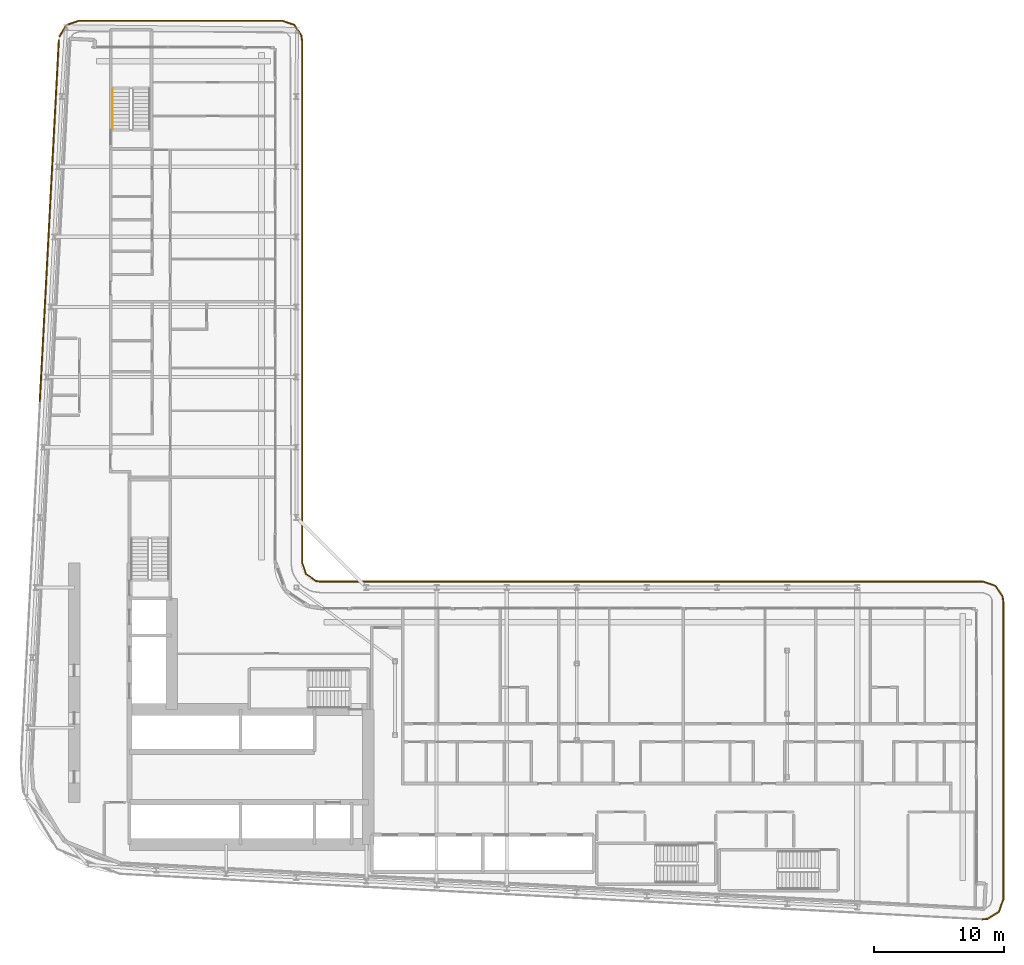
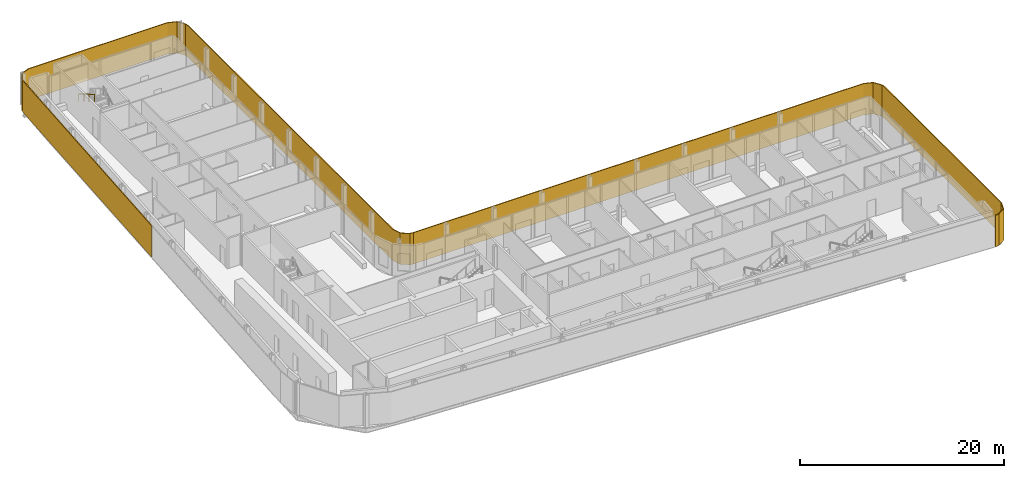
# One storey, part 25 of 27: 3 shading devices, 1 railing.
"""IFC4 building model written with IfcOpenShell, lengths in metres."""

from ifc_helpers import new_model, si_unit, direction, frame, origin, origin_2d, place, context, subcontext, project, spatial, polyline, rectangle, circle, outline, extrude, material, layer, layer_set, type_object, element, save


model = new_model("IFC4")

# Units and contexts
model_context = context("Model", 3, precision=1e-05, world=origin(), true_north=direction((0.0, 1.0)))
body_context = subcontext(model_context, "Body", "Model", "MODEL_VIEW")
ifc_project = project(units=[si_unit("LENGTHUNIT", "METRE"), si_unit("AREAUNIT", "SQUARE_METRE"), si_unit("VOLUMEUNIT", "CUBIC_METRE"), si_unit("PLANEANGLEUNIT", "RADIAN"), si_unit("MASSUNIT", "GRAM", prefix="KILO")], contexts=[model_context])

# Site, building, storey
site_placement = place(None, origin())
site = spatial("IfcSite", under=ifc_project, at=site_placement, CompositionType="ELEMENT")
building_placement = place(site_placement, origin())
building = spatial("IfcBuilding", under=site, at=building_placement, Name="Kheshtan School and Residences Tower", CompositionType="ELEMENT")
storey_placement = place(building_placement, frame((0.0, 0.0, 101.89990234375)))
storey = spatial("IfcBuildingStorey", under=building, at=storey_placement, Name="L23", CompositionType="ELEMENT", Elevation=101.89990234375)

# Shading devices
ifc_material_1 = material(Name="Terracotta baguette, extruded ceramic", Category="masonry")
ifc_layer_1 = layer(ifc_material_1, 0.10009765625)
ifc_layer_set_1 = layer_set([ifc_layer_1], Name="Ledge screen, terracotta baguettes")
shading_device_type_1 = type_object("IfcShadingDeviceType", Name="Ledge screen, terracotta baguettes", PredefinedType="USERDEFINED", material=ifc_layer_set_1)
shading_device_1_placement = place(storey_placement, frame((28.572998046875, 73.833984375, 0.0), z_axis=(0.0, 0.0, 1.0), x_axis=(0.052562536748, 0.998617634398, 0.0)))
element("IfcShadingDevice", 1, at=shading_device_1_placement, inside=storey, type_object=shading_device_type_1, Name="Screen L23 5", ObjectType="BAGUETTE", PredefinedType="USERDEFINED", context=body_context, shape_type="SweptSolid", body=[
    extrude(rectangle(XDim=27.93408203125, YDim=0.10009765625, at=origin_2d()), origin(), (0.0, 0.0, 1.0), 3.75),
])
ifc_material_2 = material(Name="Terracotta lattice, extruded ceramic", Category="masonry")
ifc_layer_2 = layer(ifc_material_2, 0.10009765625)
ifc_layer_set_2 = layer_set([ifc_layer_2], Name="Loggia screen, terracotta lattice")
shading_device_type_2 = type_object("IfcShadingDeviceType", Name="Loggia screen, terracotta lattice", PredefinedType="USERDEFINED", material=ifc_layer_set_2)
shading_device_2_placement = place(storey_placement, origin())
element("IfcShadingDevice", 2, at=shading_device_2_placement, inside=storey, type_object=shading_device_type_2, Name="Screen L23 1", ObjectType="SCREEN", PredefinedType="USERDEFINED", context=body_context, shape_type="SweptSolid", body=[
    extrude(outline(polyline([(29.382080078125, 87.98388671875), (29.89990234375, 88.85693359375), (30.85498046875, 89.199951171875), (46.5, 89.199951171875), (47.4130859375, 88.889892578125), (47.948974609375, 88.087890625), (48.0, 87.699951171875), (48.0, 47.5), (48.31005859375, 46.5869140625), (49.112060546875, 46.051025390625), (49.5, 46.0), (49.512939453125, 46.09912109375), (49.14794921875, 46.14697265625), (48.39404296875, 46.65087890625), (48.10009765625, 47.51708984375), (48.10009765625, 87.70703125), (48.044921875, 88.1240234375), (47.47705078125, 88.97412109375), (46.51708984375, 89.300048828125), (30.837890625, 89.300048828125), (29.83203125, 88.93896484375), (29.2958984375, 88.034912109375), (29.382080078125, 87.98388671875)])), origin(), (0.0, 0.0, 1.0), 3.75),
])
shading_device_3_placement = place(storey_placement, origin())
element("IfcShadingDevice", 3, at=shading_device_3_placement, inside=storey, type_object=shading_device_type_2, Name="Screen L23 2", ObjectType="SCREEN", PredefinedType="USERDEFINED", context=body_context, shape_type="SweptSolid", body=[
    extrude(outline(polyline([(49.5, 46.0), (100.5, 46.0), (101.4130859375, 45.68994140625), (101.948974609375, 44.887939453125), (102.0, 44.5), (102.0, 21.5810546875), (101.669921875, 20.64208984375), (100.823974609375, 20.116943359375), (100.4208984375, 20.0830078125), (100.428955078125, 19.98291015625), (100.85595703125, 20.01904296875), (101.7529296875, 20.575927734375), (102.10009765625, 21.56396484375), (102.10009765625, 44.507080078125), (102.044921875, 44.924072265625), (101.47705078125, 45.77392578125), (100.51708984375, 46.10009765625), (49.5, 46.10009765625), (49.5, 46.0)])), origin(), (0.0, 0.0, 1.0), 3.75),
])

# Railing
ifc_material_3 = material(Name="Stainless steel handrail", Category="steel")
railing_type = type_object("IfcRailingType", Name="Stair handrail 900", PredefinedType="HANDRAIL", material=ifc_material_3)
railing_placement = place(storey_placement, frame((33.449951171875, 83.97998046875, 2.112548828125)))
element("IfcRailing", 4, at=railing_placement, inside=storey, type_object=railing_type, Name="L23 ST3 stair handrail 2", PredefinedType="HANDRAIL", context=body_context, shape_type="SweptSolid", body=[
    extrude(circle(Radius=0.02392578125, at=origin_2d()), frame((0.0, 0.0, 0.8759765625), z_axis=(0.0, -0.864890721111, 0.501960198159), x_axis=(1.0, 0.0, 0.0)), (0.0, 0.0, 1.0), 3.561279296875),
    extrude(circle(Radius=0.02099609375, at=origin_2d()), origin(), (0.0, 0.0, 1.0), 0.851806640625),
    extrude(circle(Radius=0.02099609375, at=origin_2d()), frame((0.0, -1.026611328125, 0.595947265625)), (0.0, 0.0, 1.0), 0.851806640625),
    extrude(circle(Radius=0.02099609375, at=origin_2d()), frame((0.0, -2.053466796875, 1.191650390625)), (0.0, 0.0, 1.0), 0.851806640625),
    extrude(circle(Radius=0.02099609375, at=origin_2d()), frame((0.0, -3.080078125, 1.78759765625)), (0.0, 0.0, 1.0), 0.851806640625),
])

save(model, "model.ifc")
